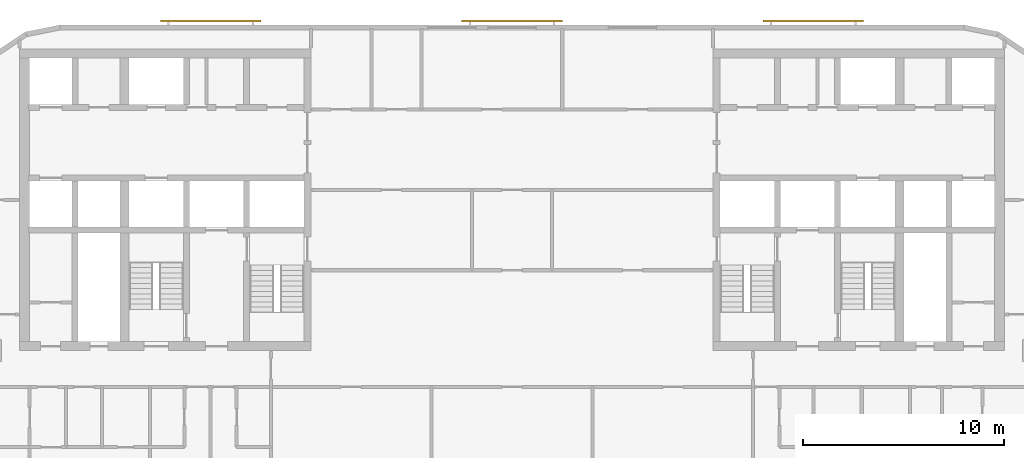
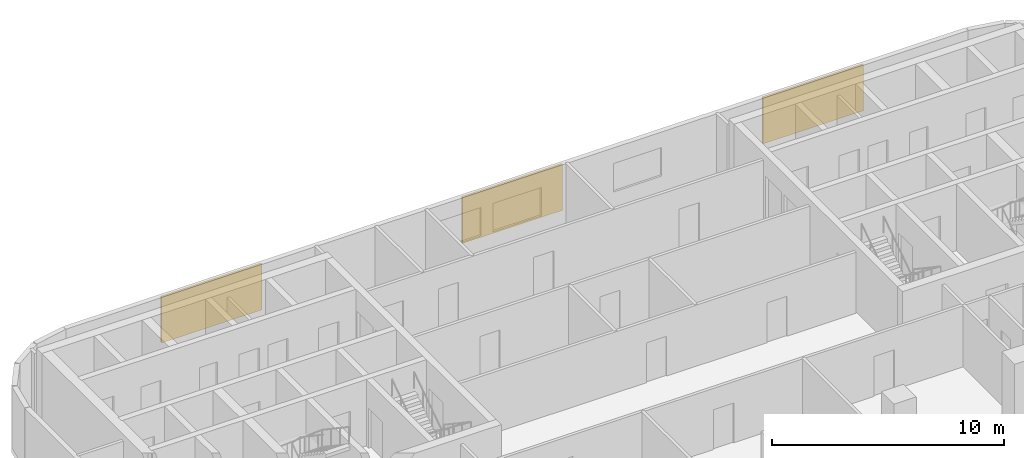
# One storey, part 10 of 11: 3 shading devices.
"""IFC4 building model written with IfcOpenShell, lengths in metres."""

from ifc_helpers import new_model, si_unit, direction, frame, origin, origin_2d, place, context, subcontext, project, spatial, rectangle, extrude, material, layer, layer_set, type_object, element, save


model = new_model("IFC4")

# Units and contexts
model_context = context("Model", 3, precision=1e-05, world=origin(), true_north=direction((0.0, 1.0)))
body_context = subcontext(model_context, "Body", "Model", "MODEL_VIEW")
ifc_project = project(units=[si_unit("LENGTHUNIT", "METRE"), si_unit("AREAUNIT", "SQUARE_METRE"), si_unit("VOLUMEUNIT", "CUBIC_METRE"), si_unit("PLANEANGLEUNIT", "RADIAN"), si_unit("MASSUNIT", "GRAM", prefix="KILO")], contexts=[model_context])

# Site, building, storey
site_placement = place(None, origin())
site = spatial("IfcSite", under=ifc_project, at=site_placement, CompositionType="ELEMENT")
building_placement = place(site_placement, origin())
building = spatial("IfcBuilding", under=site, at=building_placement, Name="Torana Hotel and Residences", CompositionType="ELEMENT")
storey_placement = place(building_placement, frame((0.0, 0.0, 183.60009765625)))
storey = spatial("IfcBuildingStorey", under=building, at=storey_placement, Name="L47", CompositionType="ELEMENT", Elevation=183.60009765625)

# Shading devices
ifc_material = material(Name="Concrete C40/50 precast", Category="concrete")
ifc_layer = layer(ifc_material, 0.10009765625)
ifc_layer_set = layer_set([ifc_layer], Name="SC1 PERFORATED BLOCK SCREEN PANEL 100")
shading_device_type = type_object("IfcShadingDeviceType", Name="SC1 PERFORATED BLOCK SCREEN PANEL 100", PredefinedType="USERDEFINED", material=ifc_layer_set)
for number, where, z_axis, x_axis, name in (
    (1, (14.983642578125, 1.39990234375, 0.5), (0.0, 0.0, 1.0), (-1.0, 0.0, 0.0), "Perforated block screen L47"),
    (2, (0.0, 1.39990234375, 0.5), (0.0, 0.0, 1.0), (-1.0, 0.0, 0.0), "Perforated block screen L47"),
    (3, (-14.983642578125, 1.39990234375, 0.5), (0.0, 0.0, 1.0), (-1.0, 0.0, 0.0), "Perforated block screen L47"),
):
    element("IfcShadingDevice", number, at=place(storey_placement, frame(where, z_axis=z_axis, x_axis=x_axis)), inside=storey, type_object=shading_device_type, Name=name, ObjectType="SCREEN", PredefinedType="USERDEFINED", context=body_context, shape_type="SweptSolid", body=[
        extrude(rectangle(XDim=5.0, YDim=0.10009765625, at=origin_2d()), origin(), (0.0, 0.0, 1.0), 2.419921875),
    ])

save(model, "model.ifc")
